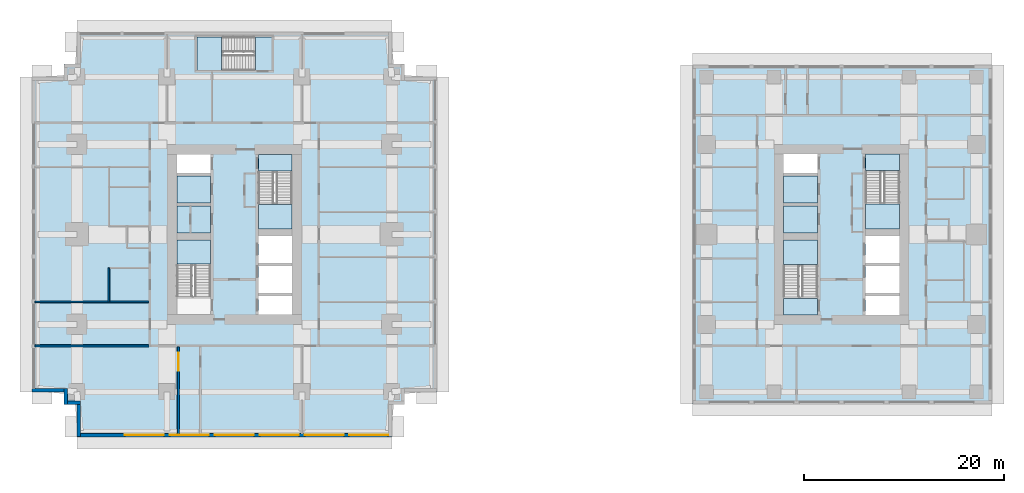
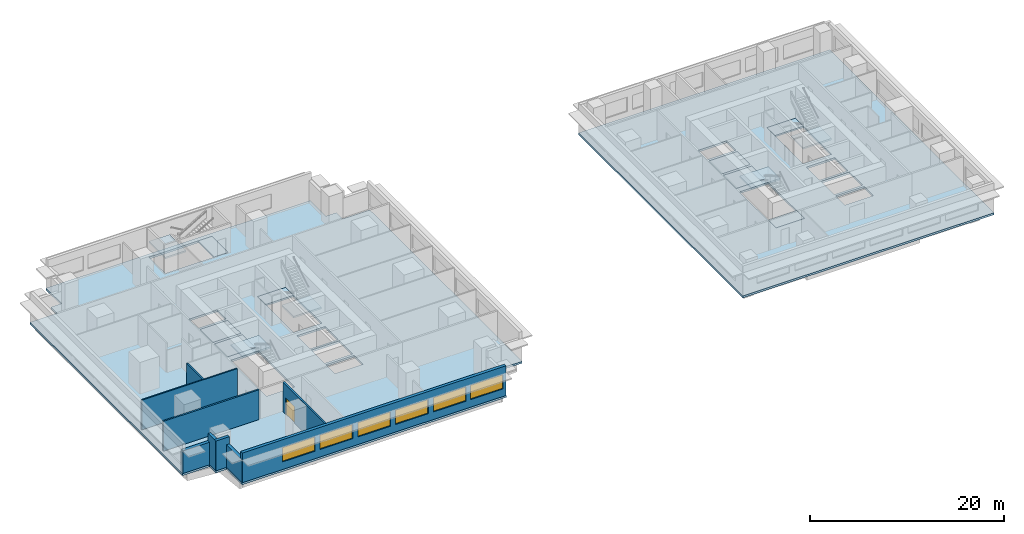
# One storey, part 2 of 11: 15 slabs, 9 walls, 6 windows, 1 door, 7 openings, 5 elements without a shape of their own.
"""IFC4 building model written with IfcOpenShell, lengths in metres."""

from ifc_helpers import new_model, si_unit, direction, frame, frame_2d, origin, place, context, subcontext, project, spatial, polyline, rectangle, outline, extrude, material, layer, layer_set, type_object, element, fill, aggregate, save


model = new_model("IFC4")

# Units and contexts
model_context = context("Model", 3, precision=1e-05, world=origin(), true_north=direction((0.0, 1.0)))
body_context = subcontext(model_context, "Body", "Model", "MODEL_VIEW")
ifc_project = project(units=[si_unit("LENGTHUNIT", "METRE"), si_unit("AREAUNIT", "SQUARE_METRE"), si_unit("VOLUMEUNIT", "CUBIC_METRE"), si_unit("PLANEANGLEUNIT", "RADIAN"), si_unit("MASSUNIT", "GRAM", prefix="KILO")], contexts=[model_context])

# Site, building, storey
site_placement = place(None, origin())
site = spatial("IfcSite", under=ifc_project, at=site_placement, CompositionType="ELEMENT")
building_placement = place(site_placement, origin())
building = spatial("IfcBuilding", under=site, at=building_placement, Name="Namib Vertical Campus", CompositionType="ELEMENT")
storey_placement = place(building_placement, frame((0.0, 0.0, 185.0)))
storey = spatial("IfcBuildingStorey", under=building, at=storey_placement, Name="L43", CompositionType="ELEMENT", Elevation=185.0)

# Slabs
ifc_material_1 = material(Name="Concrete C40/50", Category="concrete")
ifc_layer_1 = layer(ifc_material_1, 0.25)
ifc_layer_set_1 = layer_set([ifc_layer_1], Name="Concrete C40/50")
slab_type_1 = type_object("IfcSlabType", Name="Floor slab 250", PredefinedType="FLOOR", material=ifc_layer_set_1)
slab_1_placement = place(storey_placement, frame((0.0, 0.0, -0.25)))
element("IfcSlab", 1, at=slab_1_placement, inside=storey, type_object=slab_type_1, Name="Floor slab A L43", PredefinedType="FLOOR", context=body_context, shape_type="SweptSolid", body=[
    extrude(outline(polyline([(4.5, 0.0), (36.0, 0.0), (36.0, 3.22509765625), (37.27490234375, 3.22509765625), (37.27490234375, 4.5), (40.5, 4.5), (40.5, 36.0), (37.27490234375, 36.0), (37.27490234375, 37.27490234375), (36.0, 37.27490234375), (36.0, 40.5), (4.5, 40.5), (4.5, 37.27490234375), (3.22509765625, 37.27490234375), (3.22509765625, 36.0), (0.0, 36.0), (0.0, 4.5), (3.22509765625, 4.5), (3.22509765625, 3.22509765625), (4.5, 3.22509765625), (4.5, 0.0)]), holes=[polyline([(14.5, 12.25), (17.85009765625, 12.25), (17.85009765625, 19.699951171875), (14.5, 19.699951171875), (14.5, 12.25)]), polyline([(22.64990234375, 20.800048828125), (26.0, 20.800048828125), (26.0, 28.25), (22.64990234375, 28.25), (22.64990234375, 20.800048828125)]), polyline([(22.64990234375, 12.25), (26.0, 12.25), (26.0, 14.10009765625), (22.64990234375, 14.10009765625), (22.64990234375, 12.25)]), polyline([(14.5, 20.39990234375), (17.85009765625, 20.39990234375), (17.85009765625, 23.10009765625), (14.5, 23.10009765625), (14.5, 20.39990234375)]), polyline([(14.5, 23.39990234375), (17.85009765625, 23.39990234375), (17.85009765625, 26.10009765625), (14.5, 26.10009765625), (14.5, 23.39990234375)]), polyline([(14.5, 26.39990234375), (17.85009765625, 26.39990234375), (17.85009765625, 28.25), (14.5, 28.25), (14.5, 26.39990234375)]), polyline([(22.64990234375, 14.39990234375), (26.0, 14.39990234375), (26.0, 17.10009765625), (22.64990234375, 17.10009765625), (22.64990234375, 14.39990234375)]), polyline([(22.64990234375, 17.39990234375), (26.0, 17.39990234375), (26.0, 20.10009765625), (22.64990234375, 20.10009765625), (22.64990234375, 17.39990234375)]), polyline([(16.5, 36.64990234375), (24.0, 36.64990234375), (24.0, 40.0), (16.5, 40.0), (16.5, 36.64990234375)])]), origin(), (0.0, 0.0, 1.0), 0.25),
])
slab_2_placement = place(storey_placement, frame((0.0, 0.0, -0.25)))
element("IfcSlab", 2, at=slab_2_placement, inside=storey, type_object=slab_type_1, Name="Floor slab B L43", PredefinedType="FLOOR", context=body_context, shape_type="SweptSolid", body=[
    extrude(outline(polyline([(66.10009765625, 3.300048828125), (96.050048828125, 3.300048828125), (96.050048828125, 37.199951171875), (66.10009765625, 37.199951171875), (66.10009765625, 3.300048828125)]), holes=[polyline([(75.199951171875, 12.199951171875), (78.60009765625, 12.199951171875), (78.60009765625, 19.699951171875), (75.199951171875, 19.699951171875), (75.199951171875, 12.199951171875)]), polyline([(83.39990234375, 20.800048828125), (86.800048828125, 20.800048828125), (86.800048828125, 28.300048828125), (83.39990234375, 28.300048828125), (83.39990234375, 20.800048828125)]), polyline([(83.39990234375, 12.199951171875), (86.800048828125, 12.199951171875), (86.800048828125, 14.10009765625), (83.39990234375, 14.10009765625), (83.39990234375, 12.199951171875)]), polyline([(75.199951171875, 20.39990234375), (78.60009765625, 20.39990234375), (78.60009765625, 23.10009765625), (75.199951171875, 23.10009765625), (75.199951171875, 20.39990234375)]), polyline([(75.199951171875, 23.39990234375), (78.60009765625, 23.39990234375), (78.60009765625, 26.10009765625), (75.199951171875, 26.10009765625), (75.199951171875, 23.39990234375)]), polyline([(75.199951171875, 26.39990234375), (78.60009765625, 26.39990234375), (78.60009765625, 28.300048828125), (75.199951171875, 28.300048828125), (75.199951171875, 26.39990234375)]), polyline([(83.39990234375, 14.39990234375), (86.800048828125, 14.39990234375), (86.800048828125, 17.10009765625), (83.39990234375, 17.10009765625), (83.39990234375, 14.39990234375)]), polyline([(83.39990234375, 17.39990234375), (86.800048828125, 17.39990234375), (86.800048828125, 20.10009765625), (83.39990234375, 20.10009765625), (83.39990234375, 17.39990234375)])]), origin(), (0.0, 0.0, 1.0), 0.25),
])
ifc_material_2 = material(Name="Concrete C40/50 precast", Category="concrete")
ifc_layer_2 = layer(ifc_material_2, 0.25)
ifc_layer_set_2 = layer_set([ifc_layer_2], Name="Concrete C40/50 precast")
slab_type_2 = type_object("IfcSlabType", Name="Shaft infill floor 250", PredefinedType="FLOOR", material=ifc_layer_set_2)
slab_3_placement = place(storey_placement, frame((0.0, 0.0, -0.25)))
element("IfcSlab", 3, at=slab_3_placement, inside=storey, type_object=slab_type_2, Name="Shaft infill floor A L43 P1", PredefinedType="FLOOR", context=body_context, shape_type="SweptSolid", body=[
    extrude(outline(polyline([(14.5, 20.39990234375), (17.85009765625, 20.39990234375), (17.85009765625, 23.10009765625), (14.5, 23.10009765625), (14.5, 20.39990234375)])), origin(), (0.0, 0.0, 1.0), 0.25),
])
slab_4_placement = place(storey_placement, frame((0.0, 0.0, -0.25)))
element("IfcSlab", 4, at=slab_4_placement, inside=storey, type_object=slab_type_2, Name="Shaft infill floor A L43 P2", PredefinedType="FLOOR", context=body_context, shape_type="SweptSolid", body=[
    extrude(outline(polyline([(14.5, 23.39990234375), (17.85009765625, 23.39990234375), (17.85009765625, 26.10009765625), (14.5, 26.10009765625), (14.5, 23.39990234375)])), origin(), (0.0, 0.0, 1.0), 0.25),
])
slab_5_placement = place(storey_placement, frame((0.0, 0.0, -0.25)))
element("IfcSlab", 5, at=slab_5_placement, inside=storey, type_object=slab_type_2, Name="Shaft infill floor B L43 P1", PredefinedType="FLOOR", context=body_context, shape_type="SweptSolid", body=[
    extrude(outline(polyline([(75.199951171875, 20.39990234375), (78.60009765625, 20.39990234375), (78.60009765625, 23.10009765625), (75.199951171875, 23.10009765625), (75.199951171875, 20.39990234375)])), origin(), (0.0, 0.0, 1.0), 0.25),
])
slab_6_placement = place(storey_placement, frame((0.0, 0.0, -0.25)))
element("IfcSlab", 6, at=slab_6_placement, inside=storey, type_object=slab_type_2, Name="Shaft infill floor B L43 P2", PredefinedType="FLOOR", context=body_context, shape_type="SweptSolid", body=[
    extrude(outline(polyline([(75.199951171875, 23.39990234375), (78.60009765625, 23.39990234375), (78.60009765625, 26.10009765625), (75.199951171875, 26.10009765625), (75.199951171875, 23.39990234375)])), origin(), (0.0, 0.0, 1.0), 0.25),
])

# Stair, slab
ifc_material_3 = material(Name="Concrete C40/50 precast", Category="concrete")
stair_type_1 = type_object("IfcStairType", Name="Exit stair 4000 rise 24 risers 3350 wide", PredefinedType="HALF_TURN_STAIR", material=ifc_material_3)
stair_1_placement = place(storey_placement, origin())
stair_1 = element("IfcStair", 7, at=stair_1_placement, inside=storey, type_object=stair_type_1, Name="Exit stair A-S1 L43", PredefinedType="HALF_TURN_STAIR")
ifc_material_4 = material(Name="Concrete C40/50", Category="concrete")
ifc_layer_3 = layer(ifc_material_4, 0.199951171875)
ifc_layer_set_3 = layer_set([ifc_layer_3], Name="Concrete C40/50")
slab_type_3 = type_object("IfcSlabType", Name="Stair landing 200", PredefinedType="LANDING", material=ifc_layer_set_3)
slab_7_placement = place(storey_placement, frame((0.0, 0.0, 1.800048828125)))
slab_7 = element("IfcSlab", 8, at=slab_7_placement, type_object=slab_type_3, Name="A-S1 landing 2", PredefinedType="LANDING", context=body_context, shape_type="SweptSolid", body=[
    extrude(outline(polyline([(14.5, 17.276123046875), (17.85009765625, 17.276123046875), (17.85009765625, 19.699951171875), (14.5, 19.699951171875), (14.5, 17.276123046875)])), origin(), (0.0, 0.0, 1.0), 0.199951171875),
])
aggregate(stair_1, [slab_7])

# Stair, slabs
stair_2_placement = place(storey_placement, origin())
stair_2 = element("IfcStair", 9, at=stair_2_placement, inside=storey, type_object=stair_type_1, Name="Exit stair A-S2 L43", PredefinedType="HALF_TURN_STAIR")
slab_8_placement = place(storey_placement, frame((0.0, 0.0, -0.199951171875)))
slab_8 = element("IfcSlab", 10, at=slab_8_placement, type_object=slab_type_3, Name="A-S2 landing 1", PredefinedType="LANDING", context=body_context, shape_type="SweptSolid", body=[
    extrude(outline(polyline([(22.64990234375, 26.59619140625), (26.0, 26.59619140625), (26.0, 28.25), (22.64990234375, 28.25), (22.64990234375, 26.59619140625)])), origin(), (0.0, 0.0, 1.0), 0.199951171875),
])
slab_9_placement = place(storey_placement, frame((0.0, 0.0, 1.800048828125)))
slab_9 = element("IfcSlab", 11, at=slab_9_placement, type_object=slab_type_3, Name="A-S2 landing 2", PredefinedType="LANDING", context=body_context, shape_type="SweptSolid", body=[
    extrude(outline(polyline([(22.64990234375, 20.800048828125), (26.0, 20.800048828125), (26.0, 23.223876953125), (22.64990234375, 23.223876953125), (22.64990234375, 20.800048828125)])), origin(), (0.0, 0.0, 1.0), 0.199951171875),
])
aggregate(stair_2, [slab_8, slab_9])

ifc_material_5 = material(Name="Concrete C40/50 precast", Category="concrete")
stair_type_2 = type_object("IfcStairType", Name="Exit stair 4000 rise 24 risers 3400 wide", PredefinedType="HALF_TURN_STAIR", material=ifc_material_5)
stair_3_placement = place(storey_placement, origin())
stair_3 = element("IfcStair", 12, at=stair_3_placement, inside=storey, type_object=stair_type_2, Name="Exit stair B-S1 L43", PredefinedType="HALF_TURN_STAIR")
slab_10_placement = place(storey_placement, frame((0.0, 0.0, -0.199951171875)))
slab_10 = element("IfcSlab", 13, at=slab_10_placement, type_object=slab_type_3, Name="B-S1 landing 1", PredefinedType="LANDING", context=body_context, shape_type="SweptSolid", body=[
    extrude(outline(polyline([(75.199951171875, 12.199951171875), (78.60009765625, 12.199951171875), (78.60009765625, 13.85400390625), (75.199951171875, 13.85400390625), (75.199951171875, 12.199951171875)])), origin(), (0.0, 0.0, 1.0), 0.199951171875),
])
slab_11_placement = place(storey_placement, frame((0.0, 0.0, 1.800048828125)))
slab_11 = element("IfcSlab", 14, at=slab_11_placement, type_object=slab_type_3, Name="B-S1 landing 2", PredefinedType="LANDING", context=body_context, shape_type="SweptSolid", body=[
    extrude(outline(polyline([(75.199951171875, 17.22607421875), (78.60009765625, 17.22607421875), (78.60009765625, 19.699951171875), (75.199951171875, 19.699951171875), (75.199951171875, 17.22607421875)])), origin(), (0.0, 0.0, 1.0), 0.199951171875),
])
aggregate(stair_3, [slab_10, slab_11])

stair_4_placement = place(storey_placement, origin())
stair_4 = element("IfcStair", 15, at=stair_4_placement, inside=storey, type_object=stair_type_2, Name="Exit stair B-S2 L43", PredefinedType="HALF_TURN_STAIR")
slab_12_placement = place(storey_placement, frame((0.0, 0.0, -0.199951171875)))
slab_12 = element("IfcSlab", 16, at=slab_12_placement, type_object=slab_type_3, Name="B-S2 landing 1", PredefinedType="LANDING", context=body_context, shape_type="SweptSolid", body=[
    extrude(outline(polyline([(83.39990234375, 26.64599609375), (86.800048828125, 26.64599609375), (86.800048828125, 28.300048828125), (83.39990234375, 28.300048828125), (83.39990234375, 26.64599609375)])), origin(), (0.0, 0.0, 1.0), 0.199951171875),
])
slab_13_placement = place(storey_placement, frame((0.0, 0.0, 1.800048828125)))
slab_13 = element("IfcSlab", 17, at=slab_13_placement, type_object=slab_type_3, Name="B-S2 landing 2", PredefinedType="LANDING", context=body_context, shape_type="SweptSolid", body=[
    extrude(outline(polyline([(83.39990234375, 20.800048828125), (86.800048828125, 20.800048828125), (86.800048828125, 23.27392578125), (83.39990234375, 23.27392578125), (83.39990234375, 20.800048828125)])), origin(), (0.0, 0.0, 1.0), 0.199951171875),
])
aggregate(stair_4, [slab_12, slab_13])

stair_5_placement = place(storey_placement, origin())
stair_5 = element("IfcStair", 18, at=stair_5_placement, inside=storey, type_object=stair_type_1, Name="Exit stair A-S3 L43", PredefinedType="HALF_TURN_STAIR")
slab_14_placement = place(storey_placement, frame((0.0, 0.0, -0.199951171875)))
slab_14 = element("IfcSlab", 19, at=slab_14_placement, type_object=slab_type_3, Name="A-S3 landing 1", PredefinedType="LANDING", context=body_context, shape_type="SweptSolid", body=[
    extrude(outline(polyline([(22.34619140625, 36.64990234375), (22.34619140625, 40.0), (24.0, 40.0), (24.0, 36.64990234375), (22.34619140625, 36.64990234375)])), origin(), (0.0, 0.0, 1.0), 0.199951171875),
])
slab_15_placement = place(storey_placement, frame((0.0, 0.0, 1.800048828125)))
slab_15 = element("IfcSlab", 20, at=slab_15_placement, type_object=slab_type_3, Name="A-S3 landing 2", PredefinedType="LANDING", context=body_context, shape_type="SweptSolid", body=[
    extrude(outline(polyline([(16.5, 36.64990234375), (16.5, 40.0), (18.973876953125, 40.0), (18.973876953125, 36.64990234375), (16.5, 36.64990234375)])), origin(), (0.0, 0.0, 1.0), 0.199951171875),
])
aggregate(stair_5, [slab_14, slab_15])

# Wall, opening, door
ifc_material_6 = material(Name="Concrete masonry", Category="masonry")
ifc_layer_4 = layer(ifc_material_6, 0.199951171875)
ifc_layer_set_4 = layer_set([ifc_layer_4], Name="Corridor wall 200")
wall_type_1 = type_object("IfcWallType", Name="Corridor wall 200", PredefinedType="SOLIDWALL", material=ifc_layer_set_4)
wall_1_placement = place(storey_placement, frame((14.64990234375, 0.300048828125, 0.0), z_axis=(0.0, 0.0, 1.0), x_axis=(0.0, 1.0, 0.0)))
wall_1 = element("IfcWall", 21, at=wall_1_placement, inside=storey, type_object=wall_type_1, Name="Corridor wall A L43 SPS1", PredefinedType="SOLIDWALL", context=body_context, shape_type="SweptSolid", body=[
    extrude(rectangle(XDim=8.699951171875, YDim=0.199951171875, at=frame_2d((4.35009765625, 0.0))), origin(), (0.0, 0.0, 1.0), 3.75),
])
opening_1_placement = place(wall_1_placement, frame((6.300048828125, 0.0, 0.0)))
opening_1 = element("IfcOpeningElement", 22, at=opening_1_placement, cuts=wall_1, Name="Opening CD2", PredefinedType="OPENING", context=body_context, shape_type="SweptSolid", body=[
    extrude(rectangle(XDim=1.800048828125, YDim=2.10009765625, at=frame_2d((0.89990234375, 1.050048828125))), frame((0.0, 0.10986328125, 0.0), z_axis=(0.0, -1.0, 0.0), x_axis=(1.0, 0.0, 0.0)), (0.0, 0.0, 1.0), 0.219970703125),
])
ifc_material_7 = material(Name="Timber fire door leaf", Category="wood")
door_type = type_object("IfcDoorType", Name="Corridor door double 1800x2100 20 min", OperationType="DOUBLE_DOOR_SINGLE_SWING", PredefinedType="DOOR", material=ifc_material_7)
door_placement = place(opening_1_placement, origin())
door = element("IfcDoor", 23, at=door_placement, inside=storey, type_object=door_type, Name="Door CD2 A43-01", OperationType="DOUBLE_DOOR_SINGLE_SWING", OverallHeight=2.10009765625, OverallWidth=1.800048828125, PredefinedType="DOOR", context=body_context, shape_type="SweptSolid", body=[
    extrude(rectangle(XDim=1.800048828125, YDim=2.10009765625, at=frame_2d((0.89990234375, 1.050048828125))), frame((0.0, 0.02490234375, 0.0), z_axis=(0.0, -1.0, 0.0), x_axis=(1.0, 0.0, 0.0)), (0.0, 0.0, 1.0), 0.050048828125),
])
fill(opening_1, door)

# Wall
wall_2_placement = place(storey_placement, frame((0.300048828125, 9.10009765625, 0.0), z_axis=(0.0, 0.0, 1.0), x_axis=(1.0, 0.0, 0.0)))
element("IfcWall", 24, at=wall_2_placement, inside=storey, type_object=wall_type_1, Name="Partition A L43 BSW", PredefinedType="SOLIDWALL", context=body_context, shape_type="SweptSolid", body=[
    extrude(rectangle(XDim=11.39990234375, YDim=0.199951171875, at=frame_2d((5.699951171875, 0.0))), origin(), (0.0, 0.0, 1.0), 3.75),
])

# Wall, openings, windows
ifc_material_8 = material(Name="Concrete C40/50", Category="concrete")
ifc_layer_5 = layer(ifc_material_8, 0.35009765625)
ifc_layer_set_5 = layer_set([ifc_layer_5], Name="Concrete C40/50")
wall_type_2 = type_object("IfcWallType", Name="External wall 350 bush-hammered concrete", PredefinedType="STANDARD", material=ifc_layer_set_5)
wall_3_placement = place(storey_placement, frame((4.52001953125, 0.175048828125, 0.0), z_axis=(0.0, 0.0, 1.0), x_axis=(1.0, 0.0, 0.0)))
wall_3 = element("IfcWall", 25, at=wall_3_placement, inside=storey, type_object=wall_type_2, Name="External wall L43 F01", PredefinedType="STANDARD", context=body_context, shape_type="SweptSolid", body=[
    extrude(rectangle(XDim=31.4599609375, YDim=0.35009765625, at=frame_2d((15.72998046875, 0.0))), origin(), (0.0, 0.0, 1.0), 3.75),
])
opening_2_placement = place(wall_3_placement, frame((4.780029296875, 0.0, 0.949951171875)))
opening_2 = element("IfcOpeningElement", 26, at=opening_2_placement, cuts=wall_3, Name="Opening W3", PredefinedType="OPENING", context=body_context, shape_type="SweptSolid", body=[
    extrude(rectangle(XDim=3.89990234375, YDim=1.800048828125, at=frame_2d((1.949951171875, 0.89990234375))), frame((0.0, 0.18505859375, 0.0), z_axis=(0.0, -1.0, 0.0), x_axis=(1.0, 0.0, 0.0)), (0.0, 0.0, 1.0), 0.3701171875),
])
opening_3_placement = place(wall_3_placement, frame((9.280029296875, 0.0, 0.949951171875)))
opening_3 = element("IfcOpeningElement", 27, at=opening_3_placement, cuts=wall_3, Name="Opening W3", PredefinedType="OPENING", context=body_context, shape_type="SweptSolid", body=[
    extrude(rectangle(XDim=3.89990234375, YDim=1.800048828125, at=frame_2d((1.949951171875, 0.89990234375))), frame((0.0, 0.18505859375, 0.0), z_axis=(0.0, -1.0, 0.0), x_axis=(1.0, 0.0, 0.0)), (0.0, 0.0, 1.0), 0.3701171875),
])
opening_4_placement = place(wall_3_placement, frame((13.780029296875, 0.0, 0.949951171875)))
opening_4 = element("IfcOpeningElement", 28, at=opening_4_placement, cuts=wall_3, Name="Opening W3", PredefinedType="OPENING", context=body_context, shape_type="SweptSolid", body=[
    extrude(rectangle(XDim=3.89990234375, YDim=1.800048828125, at=frame_2d((1.949951171875, 0.89990234375))), frame((0.0, 0.18505859375, 0.0), z_axis=(0.0, -1.0, 0.0), x_axis=(1.0, 0.0, 0.0)), (0.0, 0.0, 1.0), 0.3701171875),
])
opening_5_placement = place(wall_3_placement, frame((18.280029296875, 0.0, 0.949951171875)))
opening_5 = element("IfcOpeningElement", 29, at=opening_5_placement, cuts=wall_3, Name="Opening W3", PredefinedType="OPENING", context=body_context, shape_type="SweptSolid", body=[
    extrude(rectangle(XDim=3.89990234375, YDim=1.800048828125, at=frame_2d((1.949951171875, 0.89990234375))), frame((0.0, 0.18505859375, 0.0), z_axis=(0.0, -1.0, 0.0), x_axis=(1.0, 0.0, 0.0)), (0.0, 0.0, 1.0), 0.3701171875),
])
opening_6_placement = place(wall_3_placement, frame((22.780029296875, 0.0, 0.949951171875)))
opening_6 = element("IfcOpeningElement", 30, at=opening_6_placement, cuts=wall_3, Name="Opening W3", PredefinedType="OPENING", context=body_context, shape_type="SweptSolid", body=[
    extrude(rectangle(XDim=3.89990234375, YDim=1.800048828125, at=frame_2d((1.949951171875, 0.89990234375))), frame((0.0, 0.18505859375, 0.0), z_axis=(0.0, -1.0, 0.0), x_axis=(1.0, 0.0, 0.0)), (0.0, 0.0, 1.0), 0.3701171875),
])
opening_7_placement = place(wall_3_placement, frame((27.2099609375, 0.0, 0.949951171875)))
opening_7 = element("IfcOpeningElement", 31, at=opening_7_placement, cuts=wall_3, Name="Opening W3", PredefinedType="OPENING", context=body_context, shape_type="SweptSolid", body=[
    extrude(rectangle(XDim=3.89990234375, YDim=1.800048828125, at=frame_2d((1.949951171875, 0.89990234375))), frame((0.0, 0.18505859375, 0.0), z_axis=(0.0, -1.0, 0.0), x_axis=(1.0, 0.0, 0.0)), (0.0, 0.0, 1.0), 0.3701171875),
])
ifc_material_9 = material(Name="Dark tinted glass in black aluminium frame", Category="aluminium")
window_type = type_object("IfcWindowType", Name="Ribbon window 3900x1800", PartitioningType="SINGLE_PANEL", PredefinedType="WINDOW", material=ifc_material_9)
window_1_placement = place(opening_2_placement, origin())
window_1 = element("IfcWindow", 32, at=window_1_placement, inside=storey, type_object=window_type, Name="Window W3 L43 F01-2", OverallHeight=1.800048828125, OverallWidth=3.89990234375, PartitioningType="SINGLE_PANEL", PredefinedType="WINDOW", context=body_context, shape_type="SweptSolid", body=[
    extrude(rectangle(XDim=3.89990234375, YDim=1.800048828125, at=frame_2d((1.949951171875, 0.89990234375))), frame((0.0, 0.030029296875, 0.0), z_axis=(0.0, -1.0, 0.0), x_axis=(1.0, 0.0, 0.0)), (0.0, 0.0, 1.0), 0.06005859375),
])
fill(opening_2, window_1)
window_2_placement = place(opening_3_placement, origin())
window_2 = element("IfcWindow", 33, at=window_2_placement, inside=storey, type_object=window_type, Name="Window W3 L43 F01-3", OverallHeight=1.800048828125, OverallWidth=3.89990234375, PartitioningType="SINGLE_PANEL", PredefinedType="WINDOW", context=body_context, shape_type="SweptSolid", body=[
    extrude(rectangle(XDim=3.89990234375, YDim=1.800048828125, at=frame_2d((1.949951171875, 0.89990234375))), frame((0.0, 0.030029296875, 0.0), z_axis=(0.0, -1.0, 0.0), x_axis=(1.0, 0.0, 0.0)), (0.0, 0.0, 1.0), 0.06005859375),
])
fill(opening_3, window_2)
window_3_placement = place(opening_4_placement, origin())
window_3 = element("IfcWindow", 34, at=window_3_placement, inside=storey, type_object=window_type, Name="Window W3 L43 F01-4", OverallHeight=1.800048828125, OverallWidth=3.89990234375, PartitioningType="SINGLE_PANEL", PredefinedType="WINDOW", context=body_context, shape_type="SweptSolid", body=[
    extrude(rectangle(XDim=3.89990234375, YDim=1.800048828125, at=frame_2d((1.949951171875, 0.89990234375))), frame((0.0, 0.030029296875, 0.0), z_axis=(0.0, -1.0, 0.0), x_axis=(1.0, 0.0, 0.0)), (0.0, 0.0, 1.0), 0.06005859375),
])
fill(opening_4, window_3)
window_4_placement = place(opening_5_placement, origin())
window_4 = element("IfcWindow", 35, at=window_4_placement, inside=storey, type_object=window_type, Name="Window W3 L43 F01-5", OverallHeight=1.800048828125, OverallWidth=3.89990234375, PartitioningType="SINGLE_PANEL", PredefinedType="WINDOW", context=body_context, shape_type="SweptSolid", body=[
    extrude(rectangle(XDim=3.89990234375, YDim=1.800048828125, at=frame_2d((1.949951171875, 0.89990234375))), frame((0.0, 0.030029296875, 0.0), z_axis=(0.0, -1.0, 0.0), x_axis=(1.0, 0.0, 0.0)), (0.0, 0.0, 1.0), 0.06005859375),
])
fill(opening_5, window_4)
window_5_placement = place(opening_6_placement, origin())
window_5 = element("IfcWindow", 36, at=window_5_placement, inside=storey, type_object=window_type, Name="Window W3 L43 F01-6", OverallHeight=1.800048828125, OverallWidth=3.89990234375, PartitioningType="SINGLE_PANEL", PredefinedType="WINDOW", context=body_context, shape_type="SweptSolid", body=[
    extrude(rectangle(XDim=3.89990234375, YDim=1.800048828125, at=frame_2d((1.949951171875, 0.89990234375))), frame((0.0, 0.030029296875, 0.0), z_axis=(0.0, -1.0, 0.0), x_axis=(1.0, 0.0, 0.0)), (0.0, 0.0, 1.0), 0.06005859375),
])
fill(opening_6, window_5)
window_6_placement = place(opening_7_placement, origin())
window_6 = element("IfcWindow", 37, at=window_6_placement, inside=storey, type_object=window_type, Name="Window W3 L43 F01-7", OverallHeight=1.800048828125, OverallWidth=3.89990234375, PartitioningType="SINGLE_PANEL", PredefinedType="WINDOW", context=body_context, shape_type="SweptSolid", body=[
    extrude(rectangle(XDim=3.89990234375, YDim=1.800048828125, at=frame_2d((1.949951171875, 0.89990234375))), frame((0.0, 0.030029296875, 0.0), z_axis=(0.0, -1.0, 0.0), x_axis=(1.0, 0.0, 0.0)), (0.0, 0.0, 1.0), 0.06005859375),
])
fill(opening_7, window_6)

# Walls
wall_4_placement = place(storey_placement, frame((0.02001953125, 4.675048828125, 0.0), z_axis=(0.0, 0.0, 1.0), x_axis=(1.0, 0.0, 0.0)))
element("IfcWall", 38, at=wall_4_placement, inside=storey, type_object=wall_type_2, Name="External wall L43 F17", PredefinedType="STANDARD", context=body_context, shape_type="SweptSolid", body=[
    extrude(rectangle(XDim=3.534912109375, YDim=0.35009765625, at=frame_2d((1.767578125, 0.0))), origin(), (0.0, 0.0, 1.0), 2.85009765625),
])
for number, where, z_axis, x_axis, name in (
    (39, (3.39990234375, 4.830078125, 0.0), (0.0, 0.0, 1.0), (0.0, -1.0, 0.0), "External wall L43 F18"),
    (40, (3.2451171875, 3.39990234375, 0.0), (0.0, 0.0, 1.0), (1.0, 0.0, 0.0), "External wall L43 F19"),
):
    element("IfcWall", number, at=place(storey_placement, frame(where, z_axis=z_axis, x_axis=x_axis)), inside=storey, type_object=wall_type_2, Name=name, PredefinedType="STANDARD", context=body_context, shape_type="SweptSolid", body=[
        extrude(rectangle(XDim=1.5849609375, YDim=0.35009765625, at=frame_2d((0.79248046875, 0.0))), origin(), (0.0, 0.0, 1.0), 3.75),
    ])
wall_5_placement = place(storey_placement, frame((4.675048828125, 3.554931640625, 0.0), z_axis=(0.0, 0.0, 1.0), x_axis=(0.0, -1.0, 0.0)))
element("IfcWall", 41, at=wall_5_placement, inside=storey, type_object=wall_type_2, Name="External wall L43 F20", PredefinedType="STANDARD", context=body_context, shape_type="SweptSolid", body=[
    extrude(rectangle(XDim=3.534912109375, YDim=0.35009765625, at=frame_2d((1.767578125, 0.0))), origin(), (0.0, 0.0, 1.0), 2.85009765625),
])
ifc_material_10 = material(Name="Gypsum board on steel studs", Category="steel")
ifc_layer_6 = layer(ifc_material_10, 0.14990234375)
ifc_layer_set_6 = layer_set([ifc_layer_6], Name="Gypsum board on steel studs")
wall_type_3 = type_object("IfcWallType", Name="Partition 150", PredefinedType="PARTITIONING", material=ifc_layer_set_6)
wall_6_placement = place(storey_placement, frame((0.300048828125, 13.5, 0.0), z_axis=(0.0, 0.0, 1.0), x_axis=(1.0, 0.0, 0.0)))
element("IfcWall", 42, at=wall_6_placement, inside=storey, type_object=wall_type_3, Name="Partition A L43 PW1", PredefinedType="PARTITIONING", context=body_context, shape_type="SweptSolid", body=[
    extrude(rectangle(XDim=11.39990234375, YDim=0.14990234375, at=frame_2d((5.699951171875, 0.0))), origin(), (0.0, 0.0, 1.0), 3.75),
])
wall_7_placement = place(storey_placement, frame((7.699951171875, 13.5, 0.0), z_axis=(0.0, 0.0, 1.0), x_axis=(0.0, 1.0, 0.0)))
element("IfcWall", 43, at=wall_7_placement, inside=storey, type_object=wall_type_3, Name="Partition A L43 WB1", PredefinedType="PARTITIONING", context=body_context, shape_type="SweptSolid", body=[
    extrude(rectangle(XDim=3.39990234375, YDim=0.14990234375, at=frame_2d((1.699951171875, 0.0))), origin(), (0.0, 0.0, 1.0), 3.75),
])

save(model, "model.ifc")
